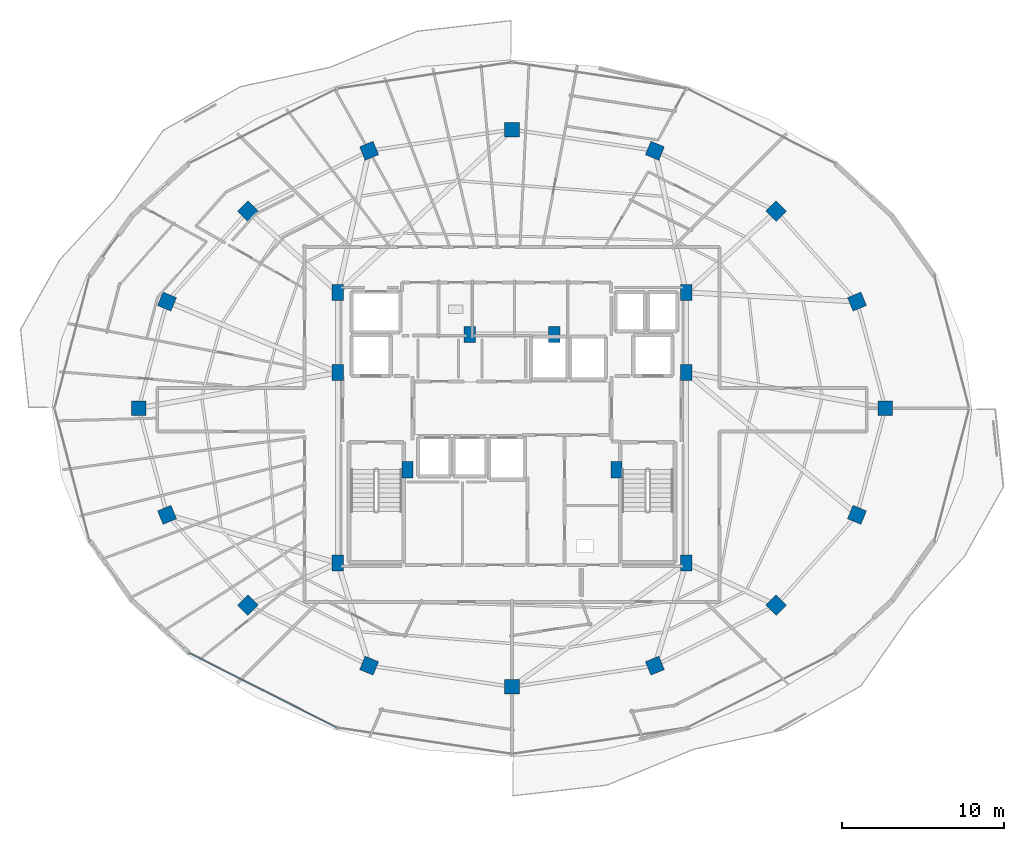
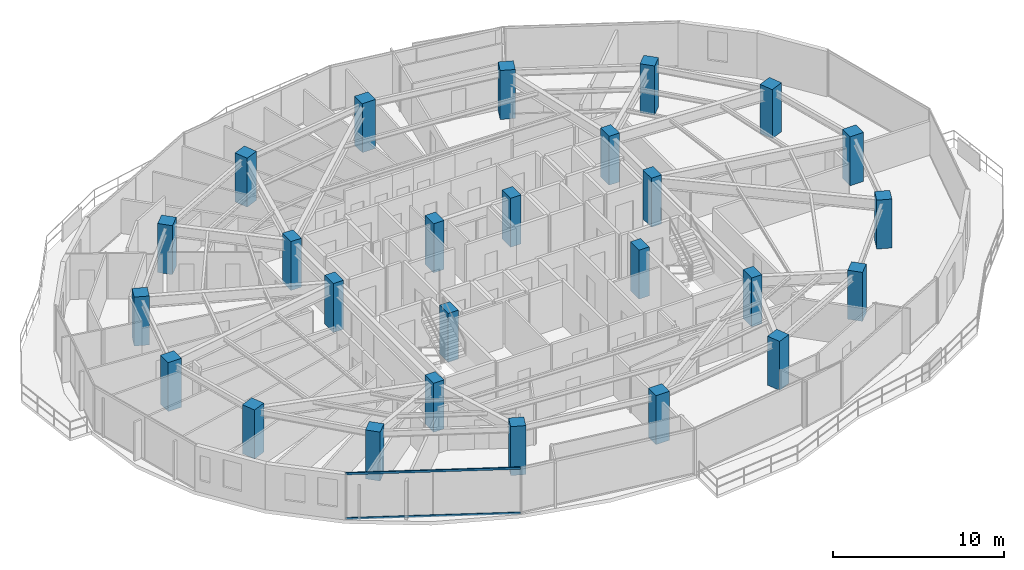
# One storey, part 1 of 33: 26 columns, 2 members, 1 element without a shape of its own.
"""IFC4 building model written with IfcOpenShell, lengths in metres."""

from ifc_helpers import new_model, si_unit, direction, frame, origin, origin_2d, place, context, subcontext, project, spatial, rectangle, hollow_rectangle, extrude, material, material_profile, profile_set, type_object, element, aggregate, save


model = new_model("IFC4")

# Units and contexts
model_context = context("Model", 3, precision=1e-05, world=origin(), true_north=direction((0.0, 1.0)))
body_context = subcontext(model_context, "Body", "Model", "MODEL_VIEW")
ifc_project = project(units=[si_unit("LENGTHUNIT", "METRE"), si_unit("AREAUNIT", "SQUARE_METRE"), si_unit("VOLUMEUNIT", "CUBIC_METRE"), si_unit("PLANEANGLEUNIT", "RADIAN"), si_unit("MASSUNIT", "GRAM", prefix="KILO")], contexts=[model_context])

# Site, building, storey
site_placement = place(None, origin())
site = spatial("IfcSite", under=ifc_project, at=site_placement, CompositionType="ELEMENT")
building_placement = place(site_placement, origin())
building = spatial("IfcBuilding", under=site, at=building_placement, Name="Vorneva Point Tower", CompositionType="ELEMENT")
storey_placement = place(building_placement, frame((0.0, 0.0, 189.60009765625)))
storey = spatial("IfcBuildingStorey", under=building, at=storey_placement, Name="L51", CompositionType="ELEMENT", Elevation=189.60009765625)

# Columns
ifc_material_1 = material(Name="Concrete B50 (C40/50)", Category="concrete")
ifc_material_profile_1 = material_profile(ifc_material_1, rectangle(XDim=0.89990234375, YDim=0.89990234375, at=origin_2d()), Name="RC-COL 900x900")
ifc_profile_set_1 = profile_set([ifc_material_profile_1], Name="Concrete B50 (C40/50)")
column_type_1 = type_object("IfcColumnType", Name="COL-RC900", PredefinedType="COLUMN", material=ifc_profile_set_1)
for number, where, z_axis, x_axis, name in (
    (1, (61.050048828125, 26.0, 0.0), (0.0, 0.0, 1.0), (1.0, 0.0, 0.0), "L51 Perimeter Column P01"),
    (2, (59.29541015625, 32.582275390625, 0.0), (0.0, 0.0, 1.0), (0.923879532511, 0.382683432365, 0.0), "L51 Perimeter Column P02"),
    (3, (54.298828125, 38.162109375, 0.0), (0.0, 0.0, 1.0), (0.707106781187, 0.707106781187, 0.0), "L51 Perimeter Column P03"),
    (4, (46.82080078125, 41.890625, 0.0), (0.0, 0.0, 1.0), (0.382683432365, 0.923879532511, 0.0), "L51 Perimeter Column P04"),
    (5, (38.0, 43.199951171875, 0.0), (0.0, 0.0, 1.0), (0.0, 1.0, 0.0), "L51 Perimeter Column P05"),
    (6, (29.17919921875, 41.890625, 0.0), (0.0, 0.0, 1.0), (-0.382683432365, 0.923879532511, 0.0), "L51 Perimeter Column P06"),
    (7, (21.701171875, 38.162109375, 0.0), (0.0, 0.0, 1.0), (-0.707106781187, 0.707106781187, 0.0), "L51 Perimeter Column P07"),
    (8, (16.70458984375, 32.582275390625, 0.0), (0.0, 0.0, 1.0), (-0.923879532511, 0.382683432365, 0.0), "L51 Perimeter Column P08"),
    (9, (14.949951171875, 26.0, 0.0), (0.0, 0.0, 1.0), (-1.0, 0.0, 0.0), "L51 Perimeter Column P09"),
    (10, (16.70458984375, 19.417724609375, 0.0), (0.0, 0.0, 1.0), (-0.923879532511, -0.382683432365, 0.0), "L51 Perimeter Column P10"),
    (11, (21.701171875, 13.837890625, 0.0), (0.0, 0.0, 1.0), (-0.707106781187, -0.707106781187, 0.0), "L51 Perimeter Column P11"),
    (12, (29.17919921875, 10.109375, 0.0), (0.0, 0.0, 1.0), (-0.382683432365, -0.923879532511, 0.0), "L51 Perimeter Column P12"),
    (13, (38.0, 8.800048828125, 0.0), (0.0, 0.0, 1.0), (0.0, -1.0, 0.0), "L51 Perimeter Column P13"),
    (14, (46.82080078125, 10.109375, 0.0), (0.0, 0.0, 1.0), (0.382683432365, -0.923879532511, 0.0), "L51 Perimeter Column P14"),
    (15, (54.298828125, 13.837890625, 0.0), (0.0, 0.0, 1.0), (0.707106781187, -0.707106781187, 0.0), "L51 Perimeter Column P15"),
    (16, (59.29541015625, 19.417724609375, 0.0), (0.0, 0.0, 1.0), (0.923879532511, -0.382683432365, 0.0), "L51 Perimeter Column P16"),
):
    element("IfcColumn", number, at=place(storey_placement, frame(where, z_axis=z_axis, x_axis=x_axis)), inside=storey, type_object=column_type_1, Name=name, PredefinedType="COLUMN", context=body_context, shape_type="SweptSolid", body=[
        extrude(rectangle(XDim=0.89990234375, YDim=0.89990234375, at=origin_2d()), origin(), (0.0, 0.0, 1.0), 3.5),
    ])
ifc_material_profile_2 = material_profile(ifc_material_1, rectangle(XDim=0.699951171875, YDim=1.0, at=origin_2d()), Name="RC-PIL 1000x700")
ifc_profile_set_2 = profile_set([ifc_material_profile_2], Name="Concrete B50 (C40/50)")
column_type_2 = type_object("IfcColumnType", Name="PIL-RC1000x700", PredefinedType="PILASTER", material=ifc_profile_set_2)
for number, where, z_axis, x_axis, name in (
    (17, (27.25, 16.449951171875, 0.0), (0.0, 0.0, 1.0), (1.0, 0.0, 0.0), "L51 Core Pilaster CP1"),
    (18, (27.25, 28.199951171875, 0.0), (0.0, 0.0, 1.0), (1.0, 0.0, 0.0), "L51 Core Pilaster CP2"),
    (19, (27.25, 33.14990234375, 0.0), (0.0, 0.0, 1.0), (1.0, 0.0, 0.0), "L51 Core Pilaster CP3"),
    (20, (31.550048828125, 22.199951171875, 0.0), (0.0, 0.0, 1.0), (1.0, 0.0, 0.0), "L51 Core Pilaster CP4"),
    (21, (48.75, 33.14990234375, 0.0), (0.0, 0.0, 1.0), (1.0, 0.0, 0.0), "L51 Core Pilaster CP5"),
    (22, (48.75, 28.199951171875, 0.0), (0.0, 0.0, 1.0), (1.0, 0.0, 0.0), "L51 Core Pilaster CP6"),
    (23, (48.75, 16.449951171875, 0.0), (0.0, 0.0, 1.0), (1.0, 0.0, 0.0), "L51 Core Pilaster CP7"),
    (24, (44.449951171875, 22.199951171875, 0.0), (0.0, 0.0, 1.0), (1.0, 0.0, 0.0), "L51 Core Pilaster CP8"),
    (25, (35.39990234375, 30.550048828125, 0.0), (0.0, 0.0, 1.0), (1.0, 0.0, 0.0), "L51 Core Pilaster CP9"),
    (26, (40.60009765625, 30.550048828125, 0.0), (0.0, 0.0, 1.0), (1.0, 0.0, 0.0), "L51 Core Pilaster CP10"),
):
    element("IfcColumn", number, at=place(storey_placement, frame(where, z_axis=z_axis, x_axis=x_axis)), inside=storey, type_object=column_type_2, Name=name, PredefinedType="PILASTER", context=body_context, shape_type="SweptSolid", body=[
        extrude(rectangle(XDim=0.699951171875, YDim=1.0, at=origin_2d()), origin(), (0.0, 0.0, 1.0), 3.5),
    ])

# Curtain wall, members
ifc_material_2 = material(Name="Pale anodised aluminium", Category="aluminium")
curtain_wall_type = type_object("IfcCurtainWallType", Name="CW-RES-SYS", PredefinedType="NOTDEFINED", material=ifc_material_2)
curtain_wall_placement = place(storey_placement, origin())
curtain_wall = element("IfcCurtainWall", 27, at=curtain_wall_placement, inside=storey, type_object=curtain_wall_type, Name="L51 Unitised Curtain Wall CW-L51-R04", PredefinedType="NOTDEFINED")
ifc_material_profile_3 = material_profile(ifc_material_2, hollow_rectangle(XDim=0.074951171875, YDim=0.14990234375, WallThickness=0.00390625, at=origin_2d()), Name="AL-TRN 150x75x4")
ifc_profile_set_3 = profile_set([ifc_material_profile_3], Name="Pale anodised aluminium")
member_type = type_object("IfcMemberType", Name="CW-TRN-150", PredefinedType="USERDEFINED", material=ifc_profile_set_3)
member_1_placement = place(storey_placement, frame((18.038330078125, 10.9033203125, 0.02001953125), z_axis=(0.892510927709, -0.451025768576, 0.0), x_axis=(0.451025768576, 0.892510927709, 0.0)))
member_1 = element("IfcMember", 28, at=member_1_placement, type_object=member_type, Name="CW-L51-R04 Transom 01.1", ObjectType="TRANSOM", PredefinedType="USERDEFINED", context=body_context, shape_type="SweptSolid", body=[
    extrude(hollow_rectangle(XDim=0.074951171875, YDim=0.14990234375, WallThickness=0.00390625, at=origin_2d()), origin(), (0.0, 0.0, 1.0), 10.261474609375),
])
member_2_placement = place(storey_placement, frame((18.038330078125, 10.9033203125, 3.219970703125), z_axis=(0.892510927709, -0.451025768576, 0.0), x_axis=(0.451025768576, 0.892510927709, 0.0)))
member_2 = element("IfcMember", 29, at=member_2_placement, type_object=member_type, Name="CW-L51-R04 Transom 01.2", ObjectType="TRANSOM", PredefinedType="USERDEFINED", context=body_context, shape_type="SweptSolid", body=[
    extrude(hollow_rectangle(XDim=0.074951171875, YDim=0.14990234375, WallThickness=0.00390625, at=origin_2d()), origin(), (0.0, 0.0, 1.0), 10.261474609375),
])
aggregate(curtain_wall, [member_1, member_2])

save(model, "model.ifc")
